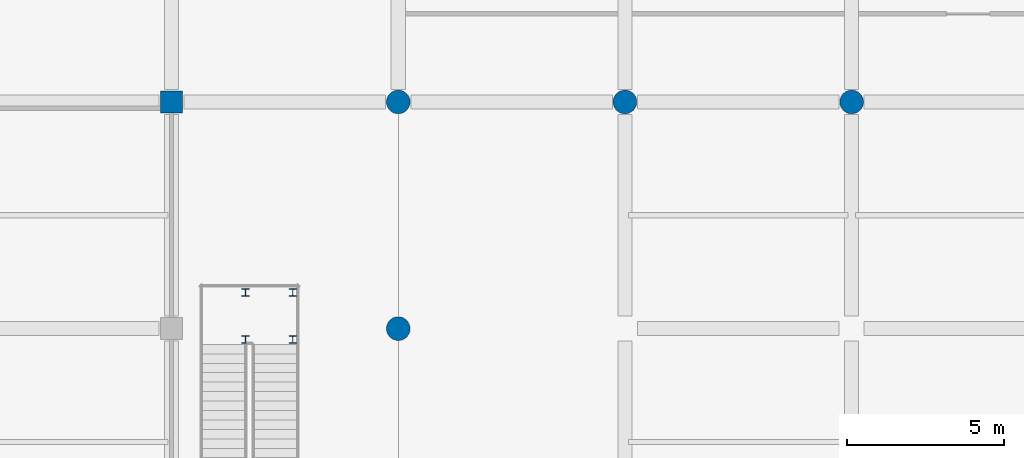
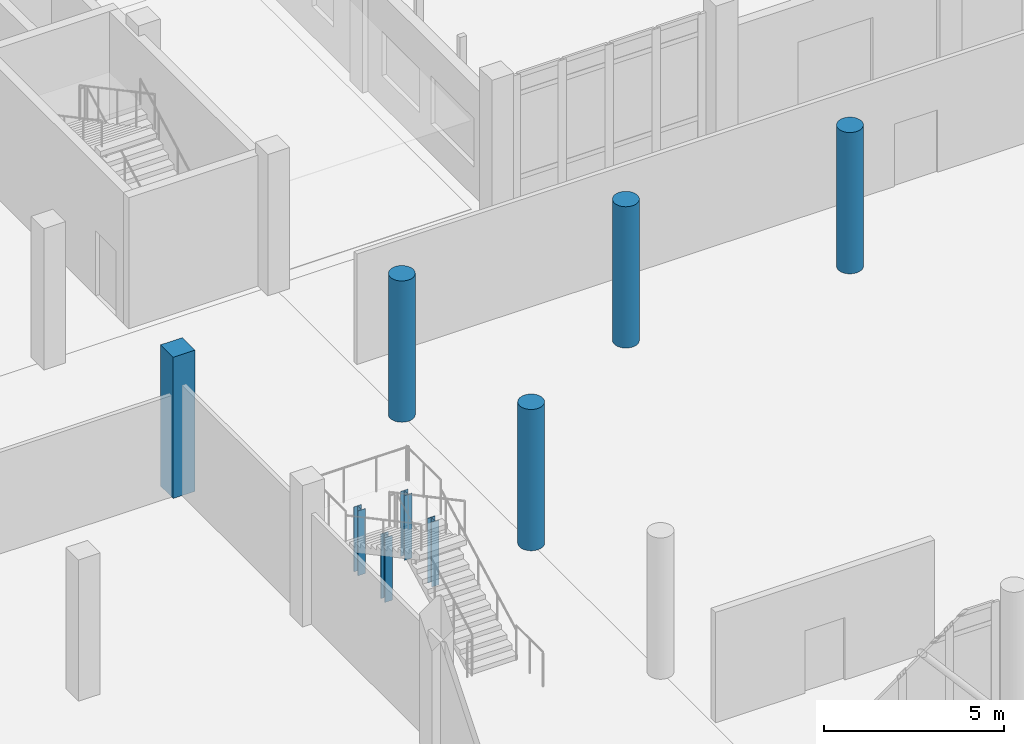
# One storey, part 4 of 59: 9 columns.
"""IFC4 building model written with IfcOpenShell, lengths in metres."""

from ifc_helpers import new_model, si_unit, direction, frame, origin, origin_2d, place, context, subcontext, project, spatial, rectangle, circle, i_section, extrude, material, material_profile, profile_set, type_object, element, save


model = new_model("IFC4")

# Units and contexts
model_context = context("Model", 3, precision=1e-05, world=origin(), true_north=direction((0.0, 1.0)))
body_context = subcontext(model_context, "Body", "Model", "MODEL_VIEW")
ifc_project = project(units=[si_unit("LENGTHUNIT", "METRE"), si_unit("AREAUNIT", "SQUARE_METRE"), si_unit("VOLUMEUNIT", "CUBIC_METRE"), si_unit("PLANEANGLEUNIT", "RADIAN"), si_unit("MASSUNIT", "GRAM", prefix="KILO")], contexts=[model_context])

# Site, building, storey
site_placement = place(None, origin())
site = spatial("IfcSite", under=ifc_project, at=site_placement, CompositionType="ELEMENT")
building_placement = place(site_placement, origin())
building = spatial("IfcBuilding", under=site, at=building_placement, Name="Valkovuoma Quantum and Materials Research Institute", CompositionType="ELEMENT")
storey_placement = place(building_placement, origin())
storey = spatial("IfcBuildingStorey", under=building, at=storey_placement, Name="L00", CompositionType="ELEMENT", Elevation=0.0)

# Columns
ifc_material_1 = material(Name="Concrete C40/50", Category="concrete")
ifc_material_profile_1 = material_profile(ifc_material_1, rectangle(XDim=0.699951171875, YDim=0.699951171875, at=origin_2d()), Name="Concrete C40/50")
ifc_profile_set_1 = profile_set([ifc_material_profile_1], Name="Concrete C40/50")
column_type_1 = type_object("IfcColumnType", Name="Col-C-RC700", PredefinedType="COLUMN", material=ifc_profile_set_1)
column_placement = place(storey_placement, frame((36.0, 57.60009765625, 0.0), z_axis=(0.0, 0.0, 1.0), x_axis=(1.0, 0.0, 0.0)))
element("IfcColumn", 1, at=column_placement, inside=storey, type_object=column_type_1, Name="L00 column 06J", PredefinedType="COLUMN", context=body_context, shape_type="SweptSolid", body=[
    extrude(rectangle(XDim=0.699951171875, YDim=0.699951171875, at=origin_2d()), origin(), (0.0, 0.0, 1.0), 4.800048828125),
])
ifc_material_2 = material(Name="Concrete C50/60", Category="concrete")
ifc_material_profile_2 = material_profile(ifc_material_2, circle(Radius=0.375, at=origin_2d()), Name="Concrete C50/60")
ifc_profile_set_2 = profile_set([ifc_material_profile_2], Name="Concrete C50/60")
column_type_2 = type_object("IfcColumnType", Name="Col-C-RCD750", PredefinedType="COLUMN", material=ifc_profile_set_2)
for number, where, z_axis, x_axis, name in (
    (2, (43.199951171875, 50.39990234375, 0.0), (0.0, 0.0, 1.0), (1.0, 0.0, 0.0), "L00 column 07H"),
    (3, (43.199951171875, 57.60009765625, 0.0), (0.0, 0.0, 1.0), (1.0, 0.0, 0.0), "L00 column 07J"),
    (4, (50.39990234375, 57.60009765625, 0.0), (0.0, 0.0, 1.0), (1.0, 0.0, 0.0), "L00 column 08J"),
    (5, (57.60009765625, 57.60009765625, 0.0), (0.0, 0.0, 1.0), (1.0, 0.0, 0.0), "L00 column 09J"),
):
    element("IfcColumn", number, at=place(storey_placement, frame(where, z_axis=z_axis, x_axis=x_axis)), inside=storey, type_object=column_type_2, Name=name, PredefinedType="COLUMN", context=body_context, shape_type="SweptSolid", body=[
        extrude(circle(Radius=0.375, at=origin_2d()), origin(), (0.0, 0.0, 1.0), 4.800048828125),
    ])
ifc_material_3 = material(Name="Steel S355J2", Category="steel")
ifc_material_profile_3 = material_profile(ifc_material_3, i_section(OverallWidth=0.239990234375, OverallDepth=0.239990234375, WebThickness=0.010009765625, FlangeThickness=0.01708984375, FilletRadius=0.02099609375, at=origin_2d()), Name="Steel S355J2")
ifc_profile_set_3 = profile_set([ifc_material_profile_3], Name="Steel S355J2")
column_type_3 = type_object("IfcColumnType", Name="Col-C-STL240", PredefinedType="COLUMN", material=ifc_profile_set_3)
for number, where, z_axis, x_axis, name in (
    (6, (38.35009765625, 50.050048828125, 0.0), (0.0, 0.0, 1.0), (1.0, 0.0, 0.0), "L00 atrium stair landing column 1"),
    (7, (39.85009765625, 50.050048828125, 0.0), (0.0, 0.0, 1.0), (1.0, 0.0, 0.0), "L00 atrium stair landing column 2"),
    (8, (38.35009765625, 51.550048828125, 0.0), (0.0, 0.0, 1.0), (1.0, 0.0, 0.0), "L00 atrium stair landing column 3"),
    (9, (39.85009765625, 51.550048828125, 0.0), (0.0, 0.0, 1.0), (1.0, 0.0, 0.0), "L00 atrium stair landing column 4"),
):
    element("IfcColumn", number, at=place(storey_placement, frame(where, z_axis=z_axis, x_axis=x_axis)), inside=storey, type_object=column_type_3, Name=name, PredefinedType="COLUMN", context=body_context, shape_type="SweptSolid", body=[
        extrude(i_section(OverallWidth=0.239990234375, OverallDepth=0.239990234375, WebThickness=0.010009765625, FlangeThickness=0.01708984375, FilletRadius=0.02099609375, at=origin_2d()), origin(), (0.0, 0.0, 1.0), 2.199951171875),
    ])

save(model, "model.ifc")
